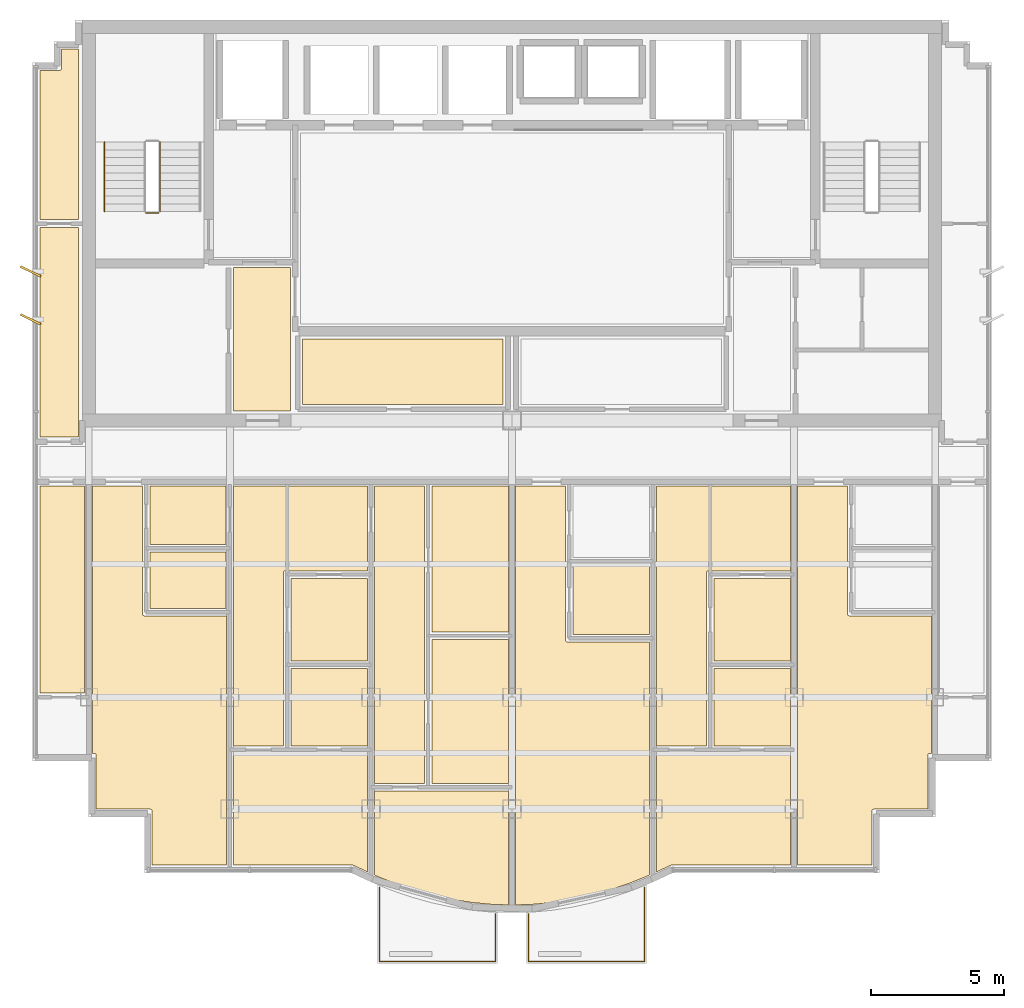
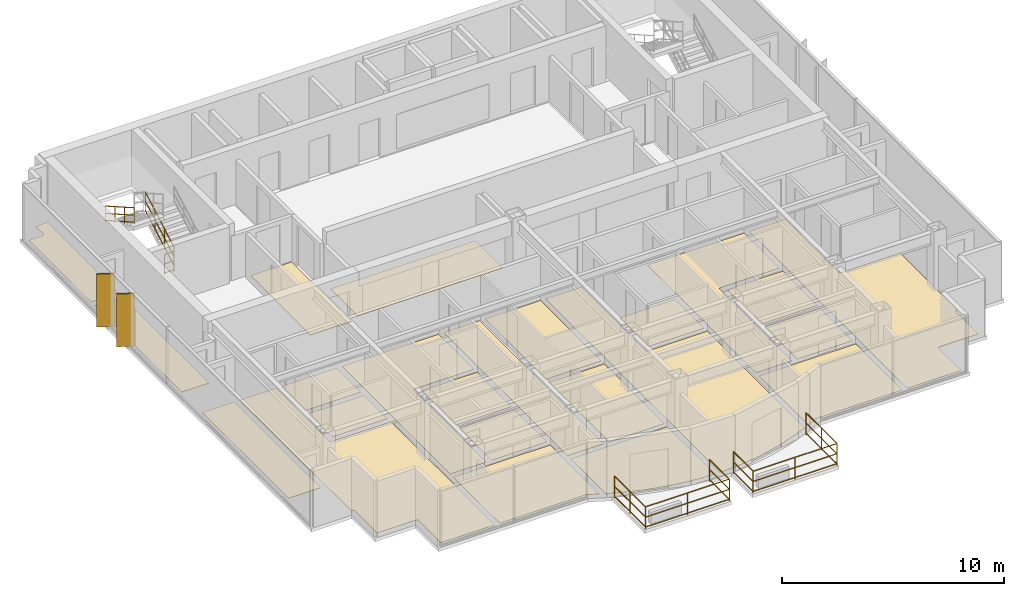
# One storey, part 10 of 11: 23 coverings, 5 railings, 2 shading devices.
"""IFC4 building model written with IfcOpenShell, lengths in metres."""

from ifc_helpers import new_model, si_unit, direction, frame, origin, origin_2d, place, context, subcontext, project, spatial, polyline, rectangle, circle, outline, extrude, source, transform, mapped, material, layer, layer_set, type_object, element, save


model = new_model("IFC4")

# Units and contexts
model_context = context("Model", 3, precision=1e-05, world=origin(), true_north=direction((0.0, 1.0)))
body_context = subcontext(model_context, "Body", "Model", "MODEL_VIEW")
ifc_project = project(units=[si_unit("LENGTHUNIT", "METRE"), si_unit("AREAUNIT", "SQUARE_METRE"), si_unit("VOLUMEUNIT", "CUBIC_METRE"), si_unit("PLANEANGLEUNIT", "RADIAN"), si_unit("MASSUNIT", "GRAM", prefix="KILO")], contexts=[model_context])

# Site, building, storey
site_placement = place(None, origin())
site = spatial("IfcSite", under=ifc_project, at=site_placement, CompositionType="ELEMENT")
building_placement = place(site_placement, origin())
building = spatial("IfcBuilding", under=site, at=building_placement, Name="Qianlan Lanfeng Residences", CompositionType="ELEMENT")
storey_placement = place(building_placement, frame((0.0, 0.0, 256.10009765625)))
storey = spatial("IfcBuildingStorey", under=building, at=storey_placement, Name="L71", CompositionType="ELEMENT", Elevation=256.10009765625)

# Coverings
ifc_material_1 = material(Name="Honed Taitung Granite Stone Flooring", Category="masonry")
ifc_layer_1 = layer(ifc_material_1, 0.030029296875)
ifc_layer_set_1 = layer_set([ifc_layer_1], Name="Honed Taitung Granite Stone Flooring")
covering_type_1 = type_object("IfcCoveringType", Name="FLR-STN-30", PredefinedType="FLOORING", material=ifc_layer_set_1)
covering_1_placement = place(storey_placement, origin())
element("IfcCovering", 1, at=covering_1_placement, inside=storey, type_object=covering_type_1, Name="L71 Lift Lobby Floor Finish", PredefinedType="FLOORING", context=body_context, shape_type="SweptSolid", body=[
    extrude(outline(polyline([(16.030029296875, 25.56005859375), (18.169921875, 25.56005859375), (18.169921875, 30.949951171875), (16.030029296875, 30.949951171875), (16.030029296875, 25.56005859375)])), origin(), (0.0, 0.0, 1.0), 0.02978515625),
])
ifc_material_2 = material(Name="Slip-Resistant Porcelain Tile Flooring")
ifc_layer_2 = layer(ifc_material_2, 0.02001953125)
ifc_layer_set_2 = layer_set([ifc_layer_2], Name="Slip-Resistant Porcelain Tile Flooring")
covering_type_2 = type_object("IfcCoveringType", Name="FLR-TIL-20", PredefinedType="FLOORING", material=ifc_layer_set_2)
covering_2_placement = place(storey_placement, origin())
element("IfcCovering", 2, at=covering_2_placement, inside=storey, type_object=covering_type_2, Name="L71 Kitchen Floor Finish", PredefinedType="FLOORING", context=body_context, shape_type="SweptSolid", body=[
    extrude(outline(polyline([(12.889892578125, 18.139892578125), (15.760009765625, 18.139892578125), (15.760009765625, 20.260009765625), (12.889892578125, 20.260009765625), (12.889892578125, 18.139892578125)])), origin(), (0.0, 0.0, 1.0), 0.02001953125),
])
covering_3_placement = place(storey_placement, origin())
element("IfcCovering", 3, at=covering_3_placement, inside=storey, type_object=covering_type_2, Name="L71 Bathroom Floor Finish", PredefinedType="FLOORING", context=body_context, shape_type="SweptSolid", body=[
    extrude(outline(polyline([(12.889892578125, 20.5400390625), (15.760009765625, 20.5400390625), (15.760009765625, 22.72998046875), (12.889892578125, 22.72998046875), (12.889892578125, 20.5400390625)])), origin(), (0.0, 0.0, 1.0), 0.02001953125),
])
covering_4_placement = place(storey_placement, origin())
element("IfcCovering", 4, at=covering_4_placement, inside=storey, type_object=covering_type_2, Name="L71 En-Suite Bathroom Floor Finish", PredefinedType="FLOORING", context=body_context, shape_type="SweptSolid", body=[
    extrude(outline(polyline([(18.18994140625, 12.9599609375), (21.070068359375, 12.9599609375), (21.070068359375, 15.8798828125), (18.18994140625, 15.8798828125), (18.18994140625, 12.9599609375)])), origin(), (0.0, 0.0, 1.0), 0.02001953125),
])
covering_5_placement = place(storey_placement, origin())
element("IfcCovering", 5, at=covering_5_placement, inside=storey, type_object=covering_type_2, Name="L71 Kitchen Floor Finish", PredefinedType="FLOORING", context=body_context, shape_type="SweptSolid", body=[
    extrude(outline(polyline([(28.7900390625, 17.159912109375), (31.659912109375, 17.159912109375), (31.659912109375, 19.77001953125), (28.7900390625, 19.77001953125), (28.7900390625, 17.159912109375)])), origin(), (0.0, 0.0, 1.0), 0.02001953125),
])
covering_6_placement = place(storey_placement, origin())
element("IfcCovering", 6, at=covering_6_placement, inside=storey, type_object=covering_type_2, Name="L71 En-Suite Bathroom Floor Finish", PredefinedType="FLOORING", context=body_context, shape_type="SweptSolid", body=[
    extrude(outline(polyline([(34.090087890625, 12.9599609375), (36.969970703125, 12.9599609375), (36.969970703125, 15.8798828125), (34.090087890625, 15.8798828125), (34.090087890625, 12.9599609375)])), origin(), (0.0, 0.0, 1.0), 0.02001953125),
])
ifc_material_3 = material(Name="Engineered Smoked Oak Timber Flooring", Category="wood")
ifc_layer_3 = layer(ifc_material_3, 0.02197265625)
ifc_layer_set_3 = layer_set([ifc_layer_3], Name="Engineered Smoked Oak Timber Flooring")
covering_type_3 = type_object("IfcCoveringType", Name="FLR-TIM-22", PredefinedType="FLOORING", material=ifc_layer_set_3)
covering_7_placement = place(storey_placement, origin())
element("IfcCovering", 7, at=covering_7_placement, inside=storey, type_object=covering_type_3, Name="L71 Resident Reading Lounge Floor Finish", PredefinedType="FLOORING", context=body_context, shape_type="SweptSolid", body=[
    extrude(outline(polyline([(18.6298828125, 25.800048828125), (26.169921875, 25.800048828125), (26.169921875, 28.2548828125), (18.6298828125, 28.2548828125), (18.6298828125, 25.800048828125)])), origin(), (0.0, 0.0, 1.0), 0.02197265625),
])
covering_8_placement = place(storey_placement, origin())
element("IfcCovering", 8, at=covering_8_placement, inside=storey, type_object=covering_type_3, Name="L71 Living and Dining Room Floor Finish", PredefinedType="FLOORING", context=body_context, shape_type="SweptSolid", body=[
    extrude(outline(polyline([(15.77001953125, 8.489990234375), (15.77001953125, 17.860107421875), (12.679931640625, 17.860107421875), (12.673095703125, 17.860107421875), (12.666015625, 17.861083984375), (12.659912109375, 17.863037109375), (12.653076171875, 17.864990234375), (12.64697265625, 17.867919921875), (12.64111328125, 17.8720703125), (12.635986328125, 17.8759765625), (12.631103515625, 17.881103515625), (12.6259765625, 17.885986328125), (12.6220703125, 17.89111328125), (12.617919921875, 17.89697265625), (12.614990234375, 17.903076171875), (12.613037109375, 17.909912109375), (12.611083984375, 17.916015625), (12.610107421875, 17.923095703125), (12.610107421875, 17.929931640625), (12.610107421875, 22.72998046875), (10.72998046875, 22.72998046875), (10.72998046875, 12.68994140625), (10.800048828125, 12.68994140625), (10.806884765625, 12.68994140625), (10.81396484375, 12.68896484375), (10.820068359375, 12.68701171875), (10.826904296875, 12.68505859375), (10.8330078125, 12.681884765625), (10.839111328125, 12.677978515625), (10.843994140625, 12.674072265625), (10.84912109375, 12.6689453125), (10.85400390625, 12.6640625), (10.85791015625, 12.658935546875), (10.862060546875, 12.653076171875), (10.864990234375, 12.64697265625), (10.866943359375, 12.639892578125), (10.868896484375, 12.634033203125), (10.8701171875, 12.626953125), (10.8701171875, 12.6201171875), (10.8701171875, 10.590087890625), (12.89990234375, 10.590087890625), (12.906982421875, 10.590087890625), (12.9140625, 10.589111328125), (12.919921875, 10.5869140625), (12.927001953125, 10.5849609375), (12.93310546875, 10.58203125), (12.93896484375, 10.577880859375), (12.944091796875, 10.573974609375), (12.948974609375, 10.569091796875), (12.9541015625, 10.56396484375), (12.9580078125, 10.55908203125), (12.9619140625, 10.552978515625), (12.965087890625, 10.547119140625), (12.967041015625, 10.5400390625), (12.968994140625, 10.533935546875), (12.969970703125, 10.527099609375), (12.969970703125, 10.52001953125), (12.969970703125, 8.489990234375), (15.77001953125, 8.489990234375)])), origin(), (0.0, 0.0, 1.0), 0.02197265625),
])
covering_9_placement = place(storey_placement, origin())
element("IfcCovering", 9, at=covering_9_placement, inside=storey, type_object=covering_type_3, Name="L71 Private Study Floor Finish", PredefinedType="FLOORING", context=body_context, shape_type="SweptSolid", body=[
    extrude(outline(polyline([(18.18994140625, 16.159912109375), (21.070068359375, 16.159912109375), (21.070068359375, 19.27001953125), (18.18994140625, 19.27001953125), (18.18994140625, 16.159912109375)])), origin(), (0.0, 0.0, 1.0), 0.02197265625),
])
covering_10_placement = place(storey_placement, origin())
element("IfcCovering", 10, at=covering_10_placement, inside=storey, type_object=covering_type_3, Name="L71 Villa Family Sitting Room Floor Finish", PredefinedType="FLOORING", context=body_context, shape_type="SweptSolid", body=[
    extrude(outline(polyline([(16.030029296875, 12.9599609375), (17.909912109375, 12.9599609375), (17.909912109375, 19.47998046875), (17.909912109375, 19.487060546875), (17.910888671875, 19.493896484375), (17.9130859375, 19.5), (17.9150390625, 19.507080078125), (17.91796875, 19.512939453125), (17.922119140625, 19.51904296875), (17.926025390625, 19.52392578125), (17.930908203125, 19.529052734375), (17.93603515625, 19.533935546875), (17.94091796875, 19.5380859375), (17.947021484375, 19.5419921875), (17.952880859375, 19.544921875), (17.9599609375, 19.547119140625), (17.966064453125, 19.549072265625), (17.972900390625, 19.550048828125), (17.97998046875, 19.550048828125), (21.070068359375, 19.550048828125), (21.070068359375, 22.72998046875), (16.030029296875, 22.72998046875), (16.030029296875, 12.9599609375)])), origin(), (0.0, 0.0, 1.0), 0.02197265625),
])
covering_11_placement = place(storey_placement, origin())
element("IfcCovering", 11, at=covering_11_placement, inside=storey, type_object=covering_type_3, Name="L71 Master Bedroom Floor Finish", PredefinedType="FLOORING", context=body_context, shape_type="SweptSolid", body=[
    extrude(outline(polyline([(16.030029296875, 12.679931640625), (16.030029296875, 8.489990234375), (20.509033203125, 8.489990234375), (20.51611328125, 8.489990234375), (20.52392578125, 8.488037109375), (20.531005859375, 8.486083984375), (20.5380859375, 8.48291015625), (21.070068359375, 8.236083984375), (21.070068359375, 12.679931640625), (16.030029296875, 12.679931640625)])), origin(), (0.0, 0.0, 1.0), 0.02197265625),
])
covering_12_placement = place(storey_placement, origin())
element("IfcCovering", 12, at=covering_12_placement, inside=storey, type_object=covering_type_3, Name="L71 Bedroom Floor Finish", PredefinedType="FLOORING", context=body_context, shape_type="SweptSolid", body=[
    extrude(outline(polyline([(21.330078125, 11.280029296875), (21.330078125, 8.114013671875), (21.3310546875, 8.114013671875), (22.071044921875, 7.81591796875), (22.81103515625, 7.56298828125), (23.550048828125, 7.35693359375), (24.2880859375, 7.196044921875), (25.02587890625, 7.08203125), (25.762939453125, 7.012939453125), (26.3701171875, 6.993896484375), (26.3701171875, 11.280029296875), (21.330078125, 11.280029296875)])), origin(), (0.0, 0.0, 1.0), 0.02197265625),
])
covering_13_placement = place(storey_placement, origin())
element("IfcCovering", 13, at=covering_13_placement, inside=storey, type_object=covering_type_3, Name="L71 Private Study Floor Finish", PredefinedType="FLOORING", context=body_context, shape_type="SweptSolid", body=[
    extrude(outline(polyline([(23.489990234375, 11.56005859375), (26.3701171875, 11.56005859375), (26.3701171875, 16.969970703125), (23.489990234375, 16.969970703125), (23.489990234375, 11.56005859375)])), origin(), (0.0, 0.0, 1.0), 0.02197265625),
])
covering_14_placement = place(storey_placement, origin())
element("IfcCovering", 14, at=covering_14_placement, inside=storey, type_object=covering_type_3, Name="L71 Co-Working Business Suite Floor Finish", PredefinedType="FLOORING", context=body_context, shape_type="SweptSolid", body=[
    extrude(outline(polyline([(23.489990234375, 17.25), (26.3701171875, 17.25), (26.3701171875, 22.72998046875), (23.489990234375, 22.72998046875), (23.489990234375, 17.25)])), origin(), (0.0, 0.0, 1.0), 0.02197265625),
])
covering_15_placement = place(storey_placement, origin())
element("IfcCovering", 15, at=covering_15_placement, inside=storey, type_object=covering_type_3, Name="L71 Home Office Floor Finish", PredefinedType="FLOORING", context=body_context, shape_type="SweptSolid", body=[
    extrude(outline(polyline([(21.330078125, 11.56005859375), (23.2099609375, 11.56005859375), (23.2099609375, 22.72998046875), (21.330078125, 22.72998046875), (21.330078125, 11.56005859375)])), origin(), (0.0, 0.0, 1.0), 0.02197265625),
])
covering_16_placement = place(storey_placement, origin())
element("IfcCovering", 16, at=covering_16_placement, inside=storey, type_object=covering_type_3, Name="L71 Living and Dining Room Floor Finish", PredefinedType="FLOORING", context=body_context, shape_type="SweptSolid", body=[
    extrude(outline(polyline([(31.669921875, 8.114013671875), (31.669921875, 16.8798828125), (28.580078125, 16.8798828125), (28.572998046875, 16.8798828125), (28.56591796875, 16.881103515625), (28.56005859375, 16.883056640625), (28.552978515625, 16.885009765625), (28.547119140625, 16.887939453125), (28.541015625, 16.89208984375), (28.535888671875, 16.89599609375), (28.531005859375, 16.90087890625), (28.52587890625, 16.906005859375), (28.52197265625, 16.910888671875), (28.51806640625, 16.9169921875), (28.514892578125, 16.923095703125), (28.512939453125, 16.929931640625), (28.510986328125, 16.93603515625), (28.510009765625, 16.943115234375), (28.510009765625, 16.949951171875), (28.510009765625, 22.72998046875), (26.6298828125, 22.72998046875), (26.6298828125, 6.993896484375), (27.237060546875, 7.012939453125), (27.97412109375, 7.08203125), (28.7119140625, 7.196044921875), (29.449951171875, 7.35693359375), (30.18896484375, 7.56298828125), (30.928955078125, 7.81591796875), (31.6689453125, 8.114013671875), (31.669921875, 8.114013671875)])), origin(), (0.0, 0.0, 1.0), 0.02197265625),
])
covering_17_placement = place(storey_placement, origin())
element("IfcCovering", 17, at=covering_17_placement, inside=storey, type_object=covering_type_3, Name="L71 Private Study Floor Finish", PredefinedType="FLOORING", context=body_context, shape_type="SweptSolid", body=[
    extrude(outline(polyline([(34.090087890625, 16.159912109375), (36.969970703125, 16.159912109375), (36.969970703125, 19.27001953125), (34.090087890625, 19.27001953125), (34.090087890625, 16.159912109375)])), origin(), (0.0, 0.0, 1.0), 0.02197265625),
])
covering_18_placement = place(storey_placement, origin())
element("IfcCovering", 18, at=covering_18_placement, inside=storey, type_object=covering_type_3, Name="L71 Villa Family Sitting Room Floor Finish", PredefinedType="FLOORING", context=body_context, shape_type="SweptSolid", body=[
    extrude(outline(polyline([(31.929931640625, 12.9599609375), (33.81005859375, 12.9599609375), (33.81005859375, 19.47998046875), (33.81005859375, 19.487060546875), (33.81103515625, 19.493896484375), (33.81298828125, 19.5), (33.81494140625, 19.507080078125), (33.818115234375, 19.512939453125), (33.822021484375, 19.51904296875), (33.825927734375, 19.52392578125), (33.8310546875, 19.529052734375), (33.8359375, 19.533935546875), (33.841064453125, 19.5380859375), (33.846923828125, 19.5419921875), (33.85302734375, 19.544921875), (33.860107421875, 19.547119140625), (33.865966796875, 19.549072265625), (33.873046875, 19.550048828125), (33.8798828125, 19.550048828125), (36.969970703125, 19.550048828125), (36.969970703125, 22.72998046875), (31.929931640625, 22.72998046875), (31.929931640625, 12.9599609375)])), origin(), (0.0, 0.0, 1.0), 0.02197265625),
])
covering_19_placement = place(storey_placement, origin())
element("IfcCovering", 19, at=covering_19_placement, inside=storey, type_object=covering_type_3, Name="L71 Master Bedroom Floor Finish", PredefinedType="FLOORING", context=body_context, shape_type="SweptSolid", body=[
    extrude(outline(polyline([(31.929931640625, 12.679931640625), (31.929931640625, 8.236083984375), (32.4619140625, 8.48291015625), (32.468994140625, 8.486083984375), (32.47607421875, 8.488037109375), (32.48388671875, 8.489990234375), (32.490966796875, 8.489990234375), (36.969970703125, 8.489990234375), (36.969970703125, 12.679931640625), (31.929931640625, 12.679931640625)])), origin(), (0.0, 0.0, 1.0), 0.02197265625),
])
covering_20_placement = place(storey_placement, origin())
element("IfcCovering", 20, at=covering_20_placement, inside=storey, type_object=covering_type_3, Name="L71 Studio Living Room Floor Finish", PredefinedType="FLOORING", context=body_context, shape_type="SweptSolid", body=[
    extrude(outline(polyline([(42.27001953125, 12.68994140625), (42.27001953125, 17.860107421875), (39.179931640625, 17.860107421875), (39.173095703125, 17.860107421875), (39.166015625, 17.861083984375), (39.159912109375, 17.863037109375), (39.153076171875, 17.864990234375), (39.14697265625, 17.867919921875), (39.14111328125, 17.8720703125), (39.135986328125, 17.8759765625), (39.131103515625, 17.881103515625), (39.1259765625, 17.885986328125), (39.1220703125, 17.89111328125), (39.117919921875, 17.89697265625), (39.114990234375, 17.903076171875), (39.113037109375, 17.909912109375), (39.111083984375, 17.916015625), (39.110107421875, 17.923095703125), (39.110107421875, 17.929931640625), (39.110107421875, 22.72998046875), (37.22998046875, 22.72998046875), (37.22998046875, 8.489990234375), (40.030029296875, 8.489990234375), (40.030029296875, 10.52001953125), (40.030029296875, 10.527099609375), (40.031005859375, 10.533935546875), (40.032958984375, 10.5400390625), (40.034912109375, 10.547119140625), (40.0380859375, 10.552978515625), (40.0419921875, 10.55908203125), (40.0458984375, 10.56396484375), (40.051025390625, 10.569091796875), (40.055908203125, 10.573974609375), (40.06103515625, 10.577880859375), (40.06689453125, 10.58203125), (40.072998046875, 10.5849609375), (40.080078125, 10.5869140625), (40.0859375, 10.589111328125), (40.093017578125, 10.590087890625), (40.10009765625, 10.590087890625), (42.1298828125, 10.590087890625), (42.1298828125, 12.6201171875), (42.1298828125, 12.626953125), (42.131103515625, 12.634033203125), (42.133056640625, 12.639892578125), (42.135009765625, 12.64697265625), (42.137939453125, 12.653076171875), (42.14208984375, 12.658935546875), (42.14599609375, 12.6640625), (42.15087890625, 12.6689453125), (42.156005859375, 12.674072265625), (42.160888671875, 12.677978515625), (42.1669921875, 12.681884765625), (42.173095703125, 12.68505859375), (42.179931640625, 12.68701171875), (42.18603515625, 12.68896484375), (42.193115234375, 12.68994140625), (42.199951171875, 12.68994140625), (42.27001953125, 12.68994140625)])), origin(), (0.0, 0.0, 1.0), 0.02197265625),
])
covering_21_placement = place(storey_placement, origin())
element("IfcCovering", 21, at=covering_21_placement, inside=storey, type_object=covering_type_3, Name="L71 Family Sitting Room Floor Finish", PredefinedType="FLOORING", context=body_context, shape_type="SweptSolid", body=[
    extrude(outline(polyline([(10.43994140625, 22.72998046875), (8.77001953125, 22.72998046875), (8.77001953125, 14.949951171875), (10.43994140625, 14.949951171875), (10.43994140625, 22.72998046875)])), origin(), (0.0, 0.0, 1.0), 0.02197265625),
])
covering_22_placement = place(storey_placement, origin())
element("IfcCovering", 22, at=covering_22_placement, inside=storey, type_object=covering_type_3, Name="L71 Co-Working Business Suite Floor Finish", PredefinedType="FLOORING", context=body_context, shape_type="SweptSolid", body=[
    extrude(outline(polyline([(10.199951171875, 32.449951171875), (8.77001953125, 32.449951171875), (8.77001953125, 24.580078125), (10.199951171875, 24.580078125), (10.199951171875, 32.449951171875)])), origin(), (0.0, 0.0, 1.0), 0.02197265625),
])
covering_23_placement = place(storey_placement, origin())
element("IfcCovering", 23, at=covering_23_placement, inside=storey, type_object=covering_type_3, Name="L71 Resident Lounge Floor Finish", PredefinedType="FLOORING", context=body_context, shape_type="SweptSolid", body=[
    extrude(outline(polyline([(8.77001953125, 32.75), (10.199951171875, 32.75), (10.199951171875, 39.159912109375), (9.570068359375, 39.159912109375), (9.570068359375, 38.429931640625), (9.570068359375, 38.423095703125), (9.569091796875, 38.416015625), (9.56689453125, 38.409912109375), (9.56494140625, 38.403076171875), (9.56201171875, 38.39697265625), (9.55810546875, 38.39111328125), (9.553955078125, 38.385986328125), (9.549072265625, 38.381103515625), (9.5439453125, 38.3759765625), (9.5390625, 38.3720703125), (9.532958984375, 38.367919921875), (9.527099609375, 38.364990234375), (9.52001953125, 38.363037109375), (9.513916015625, 38.361083984375), (9.507080078125, 38.360107421875), (9.5, 38.360107421875), (8.77001953125, 38.360107421875), (8.77001953125, 32.75)])), origin(), (0.0, 0.0, 1.0), 0.02197265625),
])

# Railings
ifc_material_4 = material(Name="Anodised Bronze Aluminium and Laminated Glass Guard Balustrade", Category="aluminium")
railing_type_1 = type_object("IfcRailingType", Name="GR-EXT-1220", PredefinedType="BALUSTRADE", material=ifc_material_4)
railing_1_placement = place(storey_placement, frame((25.8798828125, 6.64892578125, 0.0)))
element("IfcRailing", 24, at=railing_1_placement, inside=storey, type_object=railing_type_1, Name="L71 Terrace Safety Guard GR-L71-SB-W", PredefinedType="BALUSTRADE", context=body_context, shape_type="SweptSolid", body=[
    extrude(circle(Radius=0.02490234375, at=origin_2d()), frame((0.0, 0.0, 0.0849609375), z_axis=(0.0, -1.0, 0.0), x_axis=(1.0, 0.0, 0.0)), (0.0, 0.0, 1.0), 1.77880859375),
    extrude(circle(Radius=0.02490234375, at=origin_2d()), frame((0.0, 0.0, 0.63427734375), z_axis=(0.0, -1.0, 0.0), x_axis=(1.0, 0.0, 0.0)), (0.0, 0.0, 1.0), 1.77880859375),
    extrude(circle(Radius=0.02490234375, at=origin_2d()), frame((0.0, 0.0, 1.19482421875), z_axis=(0.0, -1.0, 0.0), x_axis=(1.0, 0.0, 0.0)), (0.0, 0.0, 1.0), 1.77880859375),
    extrude(circle(Radius=0.02490234375, at=origin_2d()), frame((0.0, -1.77880859375, 0.0849609375), z_axis=(-1.0, 0.0, 0.0), x_axis=(0.0, -1.0, 0.0)), (0.0, 0.0, 1.0), 4.35986328125),
    extrude(circle(Radius=0.02490234375, at=origin_2d()), frame((0.0, -1.77880859375, 0.63427734375), z_axis=(-1.0, 0.0, 0.0), x_axis=(0.0, -1.0, 0.0)), (0.0, 0.0, 1.0), 4.35986328125),
    extrude(circle(Radius=0.02490234375, at=origin_2d()), frame((0.0, -1.77880859375, 1.19482421875), z_axis=(-1.0, 0.0, 0.0), x_axis=(0.0, -1.0, 0.0)), (0.0, 0.0, 1.0), 4.35986328125),
    extrude(circle(Radius=0.02490234375, at=origin_2d()), frame((-4.35986328125, -1.77880859375, 0.0849609375), z_axis=(0.0, 1.0, 0.0), x_axis=(-1.0, 0.0, 0.0)), (0.0, 0.0, 1.0), 2.77880859375),
    extrude(circle(Radius=0.02490234375, at=origin_2d()), frame((-4.35986328125, -1.77880859375, 0.63427734375), z_axis=(0.0, 1.0, 0.0), x_axis=(-1.0, 0.0, 0.0)), (0.0, 0.0, 1.0), 2.77880859375),
    extrude(circle(Radius=0.02490234375, at=origin_2d()), frame((-4.35986328125, -1.77880859375, 1.19482421875), z_axis=(0.0, 1.0, 0.0), x_axis=(-1.0, 0.0, 0.0)), (0.0, 0.0, 1.0), 2.77880859375),
    extrude(circle(Radius=0.02099609375, at=origin_2d()), origin(), (0.0, 0.0, 1.0), 1.169921875),
    extrude(circle(Radius=0.02099609375, at=origin_2d()), frame((0.0, -1.77880859375, 0.0)), (0.0, 0.0, 1.0), 1.169921875),
    extrude(circle(Radius=0.02099609375, at=origin_2d()), frame((-2.179931640625, -1.77880859375, 0.0)), (0.0, 0.0, 1.0), 1.169921875),
    extrude(circle(Radius=0.02099609375, at=origin_2d()), frame((-4.35986328125, -1.77880859375, 0.0)), (0.0, 0.0, 1.0), 1.169921875),
    extrude(circle(Radius=0.02099609375, at=origin_2d()), frame((-4.35986328125, -0.389404296875, 0.0)), (0.0, 0.0, 1.0), 1.169921875),
    extrude(circle(Radius=0.02099609375, at=origin_2d()), frame((-4.35986328125, 1.0, 0.0)), (0.0, 0.0, 1.0), 1.169921875),
])
railing_2_placement = place(storey_placement, frame((31.47998046875, 7.64892578125, 0.0)))
element("IfcRailing", 25, at=railing_2_placement, inside=storey, type_object=railing_type_1, Name="L71 Terrace Safety Guard GR-L71-SB-E", PredefinedType="BALUSTRADE", context=body_context, shape_type="SweptSolid", body=[
    extrude(circle(Radius=0.02490234375, at=origin_2d()), frame((0.0, 0.0, 0.0849609375), z_axis=(0.0, -1.0, 0.0), x_axis=(1.0, 0.0, 0.0)), (0.0, 0.0, 1.0), 2.77880859375),
    extrude(circle(Radius=0.02490234375, at=origin_2d()), frame((0.0, 0.0, 0.63427734375), z_axis=(0.0, -1.0, 0.0), x_axis=(1.0, 0.0, 0.0)), (0.0, 0.0, 1.0), 2.77880859375),
    extrude(circle(Radius=0.02490234375, at=origin_2d()), frame((0.0, 0.0, 1.19482421875), z_axis=(0.0, -1.0, 0.0), x_axis=(1.0, 0.0, 0.0)), (0.0, 0.0, 1.0), 2.77880859375),
    extrude(circle(Radius=0.02490234375, at=origin_2d()), frame((0.0, -2.77880859375, 0.0849609375), z_axis=(-1.0, 0.0, 0.0), x_axis=(0.0, -1.0, 0.0)), (0.0, 0.0, 1.0), 4.35986328125),
    extrude(circle(Radius=0.02490234375, at=origin_2d()), frame((0.0, -2.77880859375, 0.63427734375), z_axis=(-1.0, 0.0, 0.0), x_axis=(0.0, -1.0, 0.0)), (0.0, 0.0, 1.0), 4.35986328125),
    extrude(circle(Radius=0.02490234375, at=origin_2d()), frame((0.0, -2.77880859375, 1.19482421875), z_axis=(-1.0, 0.0, 0.0), x_axis=(0.0, -1.0, 0.0)), (0.0, 0.0, 1.0), 4.35986328125),
    extrude(circle(Radius=0.02490234375, at=origin_2d()), frame((-4.35986328125, -2.77880859375, 0.0849609375), z_axis=(0.0, 1.0, 0.0), x_axis=(-1.0, 0.0, 0.0)), (0.0, 0.0, 1.0), 1.77880859375),
    extrude(circle(Radius=0.02490234375, at=origin_2d()), frame((-4.35986328125, -2.77880859375, 0.63427734375), z_axis=(0.0, 1.0, 0.0), x_axis=(-1.0, 0.0, 0.0)), (0.0, 0.0, 1.0), 1.77880859375),
    extrude(circle(Radius=0.02490234375, at=origin_2d()), frame((-4.35986328125, -2.77880859375, 1.19482421875), z_axis=(0.0, 1.0, 0.0), x_axis=(-1.0, 0.0, 0.0)), (0.0, 0.0, 1.0), 1.77880859375),
    extrude(circle(Radius=0.02099609375, at=origin_2d()), origin(), (0.0, 0.0, 1.0), 1.169921875),
    extrude(circle(Radius=0.02099609375, at=origin_2d()), frame((0.0, -1.389404296875, 0.0)), (0.0, 0.0, 1.0), 1.169921875),
    extrude(circle(Radius=0.02099609375, at=origin_2d()), frame((0.0, -2.77880859375, 0.0)), (0.0, 0.0, 1.0), 1.169921875),
    extrude(circle(Radius=0.02099609375, at=origin_2d()), frame((-2.179931640625, -2.77880859375, 0.0)), (0.0, 0.0, 1.0), 1.169921875),
    extrude(circle(Radius=0.02099609375, at=origin_2d()), frame((-4.35986328125, -2.77880859375, 0.0)), (0.0, 0.0, 1.0), 1.169921875),
    extrude(circle(Radius=0.02099609375, at=origin_2d()), frame((-4.35986328125, -1.0, 0.0)), (0.0, 0.0, 1.0), 1.169921875),
])
ifc_material_5 = material(Name="Painted Galvanised Steel Guardrail", Category="steel")
railing_type_2 = type_object("IfcRailingType", Name="GR-ST-1120", PredefinedType="GUARDRAIL", material=ifc_material_5)
railing_3_placement = place(storey_placement, frame((13.27001953125, 33.050048828125, 0.164794921875)))
element("IfcRailing", 26, at=railing_3_placement, inside=storey, type_object=railing_type_2, Name="L71 ST-1 stair guard 1", PredefinedType="GUARDRAIL", context=body_context, shape_type="SweptSolid", body=[
    extrude(circle(Radius=0.02392578125, at=origin_2d()), frame((0.0, 0.0, 0.083984375), z_axis=(0.0, 0.869137319866, 0.494570843475), x_axis=(-1.0, 0.0, 0.0)), (0.0, 0.0, 1.0), 3.0029296875),
    extrude(circle(Radius=0.02392578125, at=origin_2d()), frame((0.0, 0.0, 0.58251953125), z_axis=(0.0, 0.869137319866, 0.494570843475), x_axis=(-1.0, 0.0, 0.0)), (0.0, 0.0, 1.0), 3.0029296875),
    extrude(circle(Radius=0.02392578125, at=origin_2d()), frame((0.0, 0.0, 1.09619140625), z_axis=(0.0, 0.869137319866, 0.494570843475), x_axis=(-1.0, 0.0, 0.0)), (0.0, 0.0, 1.0), 3.0029296875),
    extrude(circle(Radius=0.02099609375, at=origin_2d()), origin(), (0.0, 0.0, 1.0), 1.072021484375),
    extrude(circle(Radius=0.02099609375, at=origin_2d()), frame((0.0, 0.869873046875, 0.4951171875)), (0.0, 0.0, 1.0), 1.072021484375),
    extrude(circle(Radius=0.02099609375, at=origin_2d()), frame((0.0, 1.739990234375, 0.989990234375)), (0.0, 0.0, 1.0), 1.072021484375),
    extrude(circle(Radius=0.02099609375, at=origin_2d()), frame((0.0, 2.60986328125, 1.485107421875)), (0.0, 0.0, 1.0), 1.072021484375),
])
railing_4_placement = place(storey_placement, frame((13.219970703125, 33.0, 0.0)))
element("IfcRailing", 27, at=railing_4_placement, inside=storey, type_object=railing_type_2, Name="L71 ST-1 stair guard 4", PredefinedType="GUARDRAIL", context=body_context, shape_type="SweptSolid", body=[
    extrude(circle(Radius=0.02392578125, at=origin_2d()), frame((0.0, 0.0, 0.083984375), z_axis=(-1.0, 0.0, 0.0), x_axis=(0.0, -1.0, 0.0)), (0.0, 0.0, 1.0), 0.47998046875),
    extrude(circle(Radius=0.02392578125, at=origin_2d()), frame((0.0, 0.0, 0.58251953125), z_axis=(-1.0, 0.0, 0.0), x_axis=(0.0, -1.0, 0.0)), (0.0, 0.0, 1.0), 0.47998046875),
    extrude(circle(Radius=0.02392578125, at=origin_2d()), frame((0.0, 0.0, 1.09619140625), z_axis=(-1.0, 0.0, 0.0), x_axis=(0.0, -1.0, 0.0)), (0.0, 0.0, 1.0), 0.47998046875),
    extrude(circle(Radius=0.02099609375, at=origin_2d()), origin(), (0.0, 0.0, 1.0), 1.072021484375),
    extrude(circle(Radius=0.02099609375, at=origin_2d()), frame((-0.47998046875, 0.0, 0.0)), (0.0, 0.0, 1.0), 1.072021484375),
])
ifc_material_6 = material(Name="Brushed Stainless Steel Handrail", Category="steel")
railing_type_3 = type_object("IfcRailingType", Name="HR-ST-920", PredefinedType="HANDRAIL", material=ifc_material_6)
railing_5_placement = place(storey_placement, frame((11.18994140625, 35.659912109375, 1.81494140625)))
element("IfcRailing", 28, at=railing_5_placement, inside=storey, type_object=railing_type_3, Name="L71 ST-1 stair handrail 2", PredefinedType="HANDRAIL", context=body_context, shape_type="SweptSolid", body=[
    extrude(circle(Radius=0.02392578125, at=origin_2d()), frame((0.0, 0.0, 0.083984375), z_axis=(0.0, -0.869172267526, 0.494509422927), x_axis=(1.0, 0.0, 0.0)), (0.0, 0.0, 1.0), 3.002685546875),
    extrude(circle(Radius=0.02392578125, at=origin_2d()), frame((0.0, 0.0, 0.468017578125), z_axis=(0.0, -0.869172267526, 0.494509422927), x_axis=(1.0, 0.0, 0.0)), (0.0, 0.0, 1.0), 3.002685546875),
    extrude(circle(Radius=0.02392578125, at=origin_2d()), frame((0.0, 0.0, 0.8759765625), z_axis=(0.0, -0.869172267526, 0.494509422927), x_axis=(1.0, 0.0, 0.0)), (0.0, 0.0, 1.0), 3.002685546875),
    extrude(circle(Radius=0.02099609375, at=origin_2d()), origin(), (0.0, 0.0, 1.0), 0.851806640625),
    extrude(circle(Radius=0.02099609375, at=origin_2d()), frame((0.0, -0.869873046875, 0.494873046875)), (0.0, 0.0, 1.0), 0.851806640625),
    extrude(circle(Radius=0.02099609375, at=origin_2d()), frame((0.0, -1.739990234375, 0.989990234375)), (0.0, 0.0, 1.0), 0.851806640625),
    extrude(circle(Radius=0.02099609375, at=origin_2d()), frame((0.0, -2.60986328125, 1.48486328125)), (0.0, 0.0, 1.0), 0.851806640625),
])

# Shading devices
ifc_material_7 = material(Name="Anodised Bronze Aluminium Solar Fin", Category="aluminium")
shading_device_type = type_object("IfcShadingDeviceType", Name="FIN-BRZ-850", PredefinedType="SHUTTER", material=ifc_material_7)
shared_shape = source(origin(), body_context, "Body", "SweptSolid", [
    extrude(rectangle(XDim=0.85009765625, YDim=0.080078125, at=origin_2d()), origin(), (0.0, 0.0, 1.0), 2.89990234375),
])
for number, where, z_axis, x_axis, name in (
    (29, (8.409912109375, 29.0, 0.0), (0.0, 0.0, 1.0), (0.898794046299, -0.438371146789, 0.0), "L71 Raked Bronze Solar Fin W1"),
    (30, (8.409912109375, 30.800048828125, 0.0), (0.0, 0.0, 1.0), (0.898794046299, -0.438371146789, 0.0), "L71 Raked Bronze Solar Fin W2"),
):
    element("IfcShadingDevice", number, at=place(storey_placement, frame(where, z_axis=z_axis, x_axis=x_axis)), inside=storey, type_object=shading_device_type, Name=name, PredefinedType="SHUTTER", context=body_context, shape_type="MappedRepresentation", body=[
        mapped(shared_shape, transform((0.0, 0.0, 0.0), scale=1.0)),
    ])

save(model, "model.ifc")
